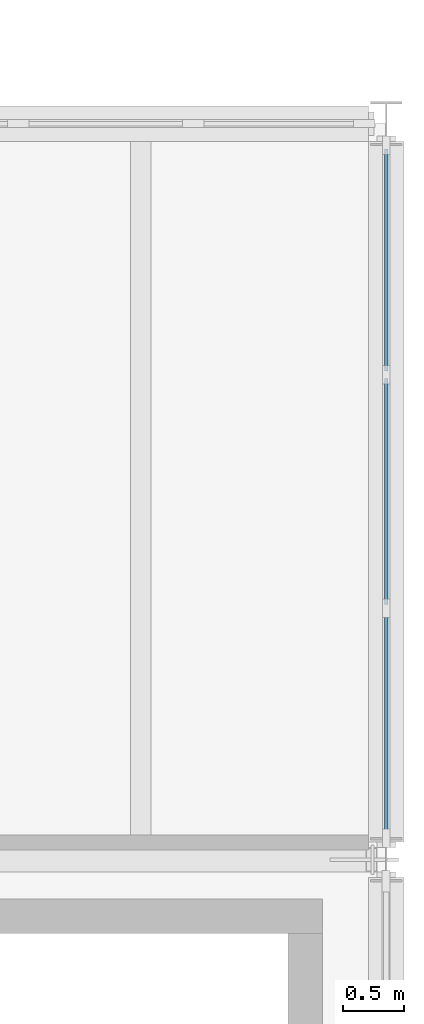
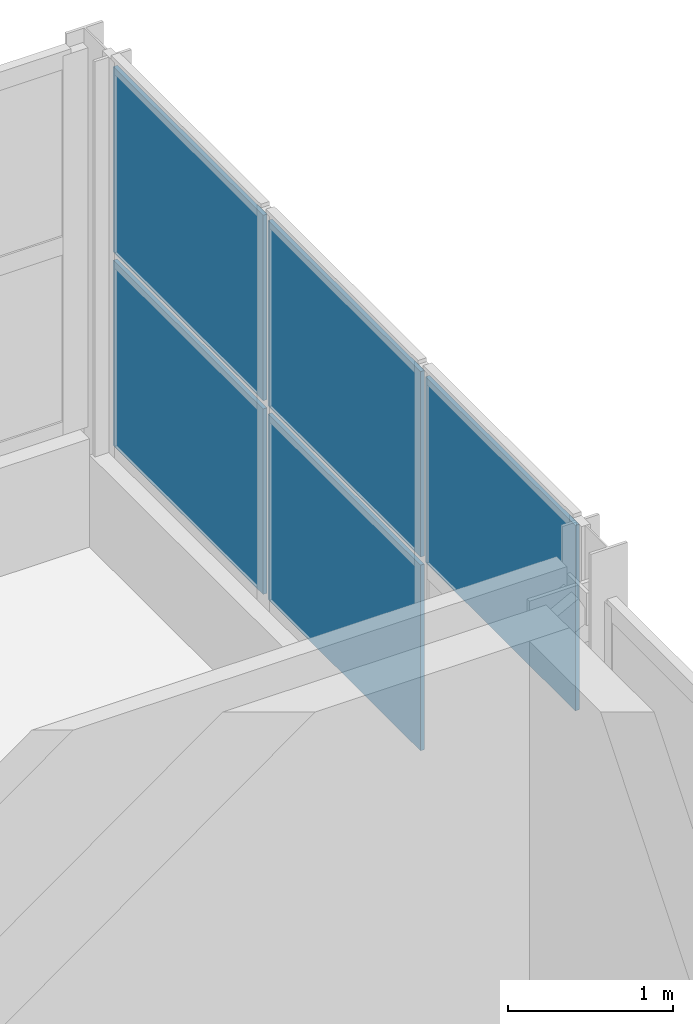
# One storey, part 12 of 20: 5 plates, 1 element without a shape of its own.
"""IFC4 building model written with IfcOpenShell, lengths in metres."""

from ifc_helpers import new_model, si_unit, direction, frame, origin, origin_2d, place, context, subcontext, project, spatial, rectangle, extrude, material, layer, layer_set, type_object, element, aggregate, save


model = new_model("IFC4")

# Units and contexts
model_context = context("Model", 3, precision=1e-05, world=origin(), true_north=direction((0.0, 1.0)))
body_context = subcontext(model_context, "Body", "Model", "MODEL_VIEW")
ifc_project = project(units=[si_unit("LENGTHUNIT", "METRE"), si_unit("AREAUNIT", "SQUARE_METRE"), si_unit("VOLUMEUNIT", "CUBIC_METRE"), si_unit("PLANEANGLEUNIT", "RADIAN"), si_unit("MASSUNIT", "GRAM", prefix="KILO")], contexts=[model_context])

# Site, building, storey
site_placement = place(None, origin())
site = spatial("IfcSite", under=ifc_project, at=site_placement, CompositionType="ELEMENT")
building_placement = place(site_placement, origin())
building = spatial("IfcBuilding", under=site, at=building_placement, Name="Siltcreek Boulevard Central Fire Station", CompositionType="ELEMENT")
storey_placement = place(building_placement, frame((0.0, 0.0, 18.0)))
storey = spatial("IfcBuildingStorey", under=building, at=storey_placement, Name="L05", CompositionType="ELEMENT", Elevation=18.0)

# Curtain wall, plates
ifc_material_1 = material(Name="Anodized aluminum and low-E insulated glazing", Category="aluminium")
curtain_wall_type = type_object("IfcCurtainWallType", Name="CW_SYS_04", PredefinedType="USERDEFINED", material=ifc_material_1)
curtain_wall_placement = place(storey_placement, origin())
curtain_wall = element("IfcCurtainWall", 1, at=curtain_wall_placement, inside=storey, type_object=curtain_wall_type, Name="L05 V5 unitised curtain wall CW-183", ObjectType="CURTAIN WALL", PredefinedType="USERDEFINED")
ifc_material_2 = material(Name="Low-E double insulated glass unit", Category="glass")
ifc_layer = layer(ifc_material_2, 0.028076171875, Name="Low-E double insulated glass unit")
ifc_layer_set = layer_set([ifc_layer], Name="Low-E double insulated glass unit")
plate_type = type_object("IfcPlateType", Name="CWP_GLZ_1", PredefinedType="CURTAIN_PANEL", material=ifc_layer_set)
plate_1_placement = place(storey_placement, frame((154.199951171875, 107.311767578125, 2.169921875), z_axis=(0.0, 0.0, 1.0), x_axis=(0.0, 1.0, 0.0)))
plate_1 = element("IfcPlate", 2, at=plate_1_placement, type_object=plate_type, Name="CW-183 panel 1.2", PredefinedType="CURTAIN_PANEL", context=body_context, shape_type="SweptSolid", body=[
    extrude(rectangle(XDim=1.813232421875, YDim=0.028076171875, at=origin_2d()), origin(), (0.0, 0.0, 1.0), 1.3701171875),
])
plate_2_placement = place(storey_placement, frame((154.199951171875, 109.199951171875, 0.739990234375), z_axis=(0.0, 0.0, 1.0), x_axis=(0.0, 1.0, 0.0)))
plate_2 = element("IfcPlate", 3, at=plate_2_placement, type_object=plate_type, Name="CW-183 panel 2.1", PredefinedType="CURTAIN_PANEL", context=body_context, shape_type="SweptSolid", body=[
    extrude(rectangle(XDim=1.84326171875, YDim=0.028076171875, at=origin_2d()), origin(), (0.0, 0.0, 1.0), 1.3701171875),
])
plate_3_placement = place(storey_placement, frame((154.199951171875, 109.199951171875, 2.169921875), z_axis=(0.0, 0.0, 1.0), x_axis=(0.0, 1.0, 0.0)))
plate_3 = element("IfcPlate", 4, at=plate_3_placement, type_object=plate_type, Name="CW-183 panel 2.2", PredefinedType="CURTAIN_PANEL", context=body_context, shape_type="SweptSolid", body=[
    extrude(rectangle(XDim=1.84326171875, YDim=0.028076171875, at=origin_2d()), origin(), (0.0, 0.0, 1.0), 1.3701171875),
])
plate_4_placement = place(storey_placement, frame((154.199951171875, 111.08837890625, 0.739990234375), z_axis=(0.0, 0.0, 1.0), x_axis=(0.0, 1.0, 0.0)))
plate_4 = element("IfcPlate", 5, at=plate_4_placement, type_object=plate_type, Name="CW-183 panel 3.1", PredefinedType="CURTAIN_PANEL", context=body_context, shape_type="SweptSolid", body=[
    extrude(rectangle(XDim=1.813232421875, YDim=0.028076171875, at=origin_2d()), origin(), (0.0, 0.0, 1.0), 1.3701171875),
])
plate_5_placement = place(storey_placement, frame((154.199951171875, 111.08837890625, 2.169921875), z_axis=(0.0, 0.0, 1.0), x_axis=(0.0, 1.0, 0.0)))
plate_5 = element("IfcPlate", 6, at=plate_5_placement, type_object=plate_type, Name="CW-183 panel 3.2", PredefinedType="CURTAIN_PANEL", context=body_context, shape_type="SweptSolid", body=[
    extrude(rectangle(XDim=1.813232421875, YDim=0.028076171875, at=origin_2d()), origin(), (0.0, 0.0, 1.0), 1.3701171875),
])
aggregate(curtain_wall, [plate_1, plate_2, plate_3, plate_4, plate_5])

save(model, "model.ifc")
